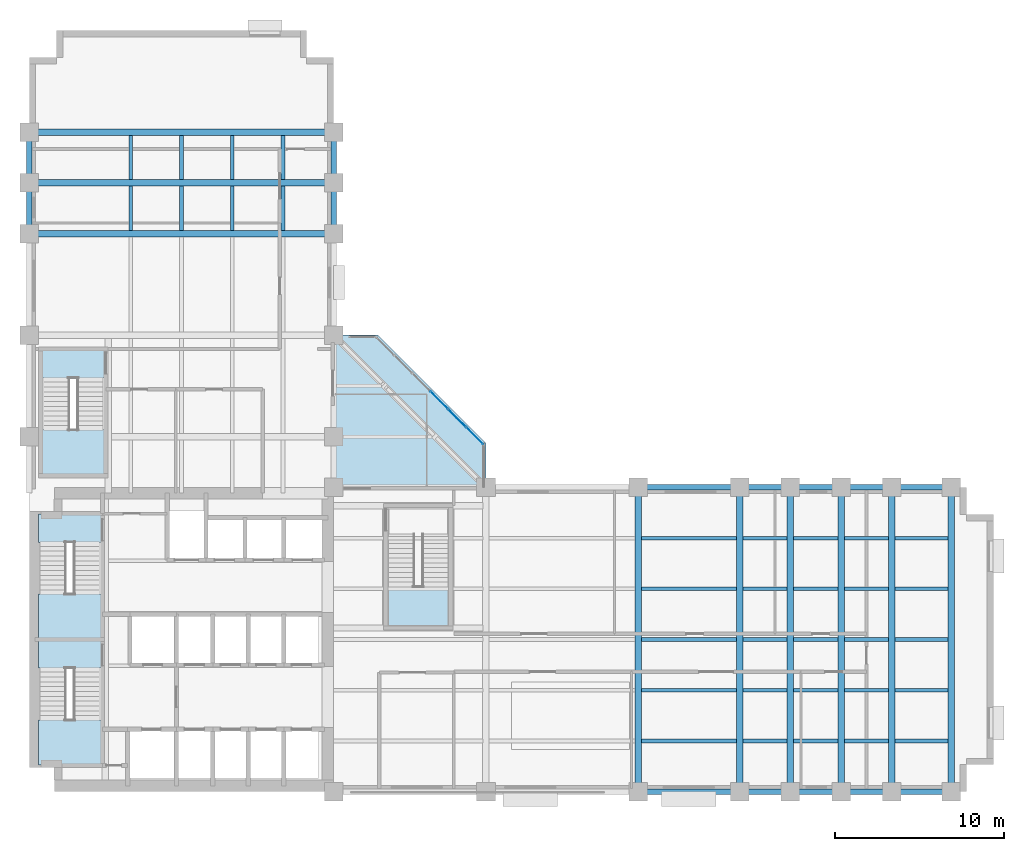
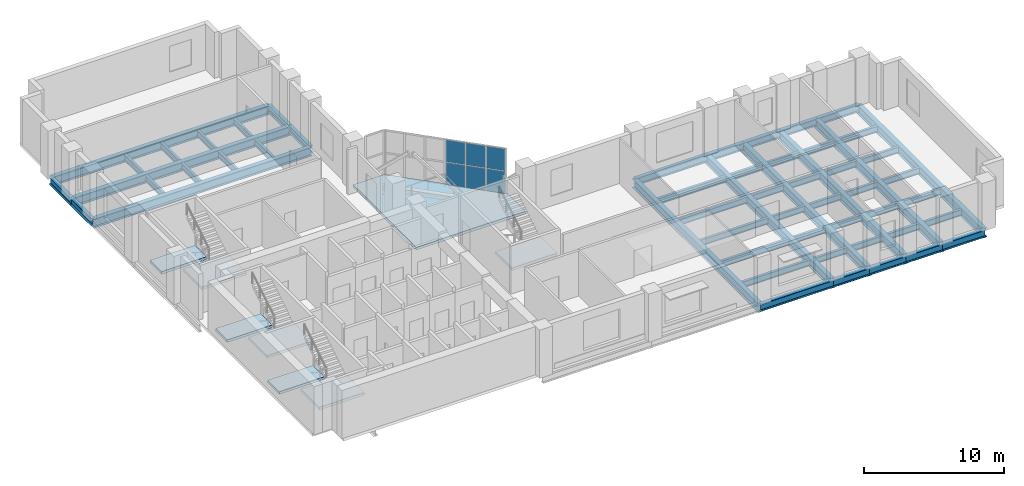
# One storey, part 3 of 10: 56 beams, 8 slabs, 6 plates, 5 elements without a shape of their own.
"""IFC4 building model written with IfcOpenShell, lengths in metres."""

from ifc_helpers import new_model, si_unit, direction, frame, origin, origin_2d, place, context, subcontext, project, spatial, polyline, rectangle, i_section, outline, extrude, material, layer, layer_set, material_profile, profile_set, type_object, element, aggregate, save


model = new_model("IFC4")

# Units and contexts
model_context = context("Model", 3, precision=1e-05, world=origin(), true_north=direction((0.0, 1.0)))
body_context = subcontext(model_context, "Body", "Model", "MODEL_VIEW")
ifc_project = project(units=[si_unit("LENGTHUNIT", "METRE"), si_unit("AREAUNIT", "SQUARE_METRE"), si_unit("VOLUMEUNIT", "CUBIC_METRE"), si_unit("PLANEANGLEUNIT", "RADIAN"), si_unit("MASSUNIT", "GRAM", prefix="KILO")], contexts=[model_context])

# Site, building, storey
site_placement = place(None, origin())
site = spatial("IfcSite", under=ifc_project, at=site_placement, CompositionType="ELEMENT")
building_placement = place(site_placement, origin())
building = spatial("IfcBuilding", under=site, at=building_placement, Name="Mawjdan Bourse Tower", CompositionType="ELEMENT")
storey_placement = place(building_placement, frame((0.0, 0.0, 89.10009765625)))
storey = spatial("IfcBuildingStorey", under=building, at=storey_placement, Name="L20", CompositionType="ELEMENT", Elevation=89.10009765625)

# Beams
ifc_material_1 = material(Name="Structural Steel S355", Category="steel")
ifc_material_profile_1 = material_profile(ifc_material_1, i_section(OverallWidth=0.381103515625, OverallDepth=0.77294921875, WebThickness=0.0166015625, FlangeThickness=0.027099609375, FilletRadius=0.021728515625, at=origin_2d()), Name="W30X173")
ifc_profile_set_1 = profile_set([ifc_material_profile_1], Name="Structural Steel S355")
beam_type_1 = type_object("IfcBeamType", Name="GRD-W30X173", PredefinedType="BEAM", material=ifc_profile_set_1)
for number, where, z_axis, x_axis, name in (
    (1, (42.0, 3.0, -0.63671875), (0.0, 1.0, 0.0), (-1.0, 0.0, 0.0), "L20 East Wing Clear-Span Girder 003"),
    (2, (48.0, 3.0, -0.63671875), (0.0, 1.0, 0.0), (-1.0, 0.0, 0.0), "L20 East Wing Clear-Span Girder 004"),
    (3, (51.0, 3.0, -0.63671875), (0.0, 1.0, 0.0), (-1.0, 0.0, 0.0), "L20 East Wing Clear-Span Girder 005"),
    (4, (54.0, 3.0, -0.63671875), (0.0, 1.0, 0.0), (-1.0, 0.0, 0.0), "L20 East Wing Clear-Span Girder 006"),
    (5, (57.0, 3.0, -0.63671875), (0.0, 1.0, 0.0), (-1.0, 0.0, 0.0), "L20 East Wing Clear-Span Girder 007"),
    (6, (60.5, 3.0, -0.63671875), (0.0, 1.0, 0.0), (-1.0, 0.0, 0.0), "L20 East Wing Clear-Span Girder 008"),
    (7, (6.0, 36.0, -0.63671875), (1.0, 0.0, 0.0), (0.0, 1.0, 0.0), "L20 North Wing Clear-Span Girder 069"),
    (8, (6.0, 39.0, -0.63671875), (1.0, 0.0, 0.0), (0.0, 1.0, 0.0), "L20 North Wing Clear-Span Girder 070"),
    (9, (6.0, 42.0, -0.63671875), (1.0, 0.0, 0.0), (0.0, 1.0, 0.0), "L20 North Wing Clear-Span Girder 071"),
):
    element("IfcBeam", number, at=place(storey_placement, frame(where, z_axis=z_axis, x_axis=x_axis)), inside=storey, type_object=beam_type_1, Name=name, PredefinedType="BEAM", context=body_context, shape_type="SweptSolid", body=[
        extrude(i_section(OverallWidth=0.381103515625, OverallDepth=0.77294921875, WebThickness=0.0166015625, FlangeThickness=0.027099609375, FilletRadius=0.021728515625, at=origin_2d()), origin(), (0.0, 0.0, 1.0), 18.0),
    ])
ifc_material_profile_2 = material_profile(ifc_material_1, i_section(OverallWidth=0.2099609375, OverallDepth=0.537109375, WebThickness=0.010986328125, FlangeThickness=0.017333984375, FilletRadius=0.013916015625, at=origin_2d()), Name="W21X68")
ifc_profile_set_2 = profile_set([ifc_material_profile_2], Name="Structural Steel S355")
beam_type_2 = type_object("IfcBeamType", Name="JST-W21X68", PredefinedType="JOIST", material=ifc_profile_set_2)
beam_1_placement = place(storey_placement, frame((42.1884765625, 6.0, -0.5185546875), z_axis=(1.0, 0.0, 0.0), x_axis=(0.0, 1.0, 0.0)))
element("IfcBeam", 10, at=beam_1_placement, inside=storey, type_object=beam_type_2, Name="L20 East Wing Composite Joist 025", PredefinedType="JOIST", context=body_context, shape_type="SweptSolid", body=[
    extrude(i_section(OverallWidth=0.2099609375, OverallDepth=0.537109375, WebThickness=0.010986328125, FlangeThickness=0.017333984375, FilletRadius=0.013916015625, at=origin_2d()), origin(), (0.0, 0.0, 1.0), 5.623046875),
])
for number, where, z_axis, x_axis, name in (
    (11, (48.1884765625, 6.0, -0.5185546875), (1.0, 0.0, 0.0), (0.0, 1.0, 0.0), "L20 East Wing Composite Joist 026"),
    (12, (51.1884765625, 6.0, -0.5185546875), (1.0, 0.0, 0.0), (0.0, 1.0, 0.0), "L20 East Wing Composite Joist 027"),
    (13, (54.1884765625, 6.0, -0.5185546875), (1.0, 0.0, 0.0), (0.0, 1.0, 0.0), "L20 East Wing Composite Joist 028"),
):
    element("IfcBeam", number, at=place(storey_placement, frame(where, z_axis=z_axis, x_axis=x_axis)), inside=storey, type_object=beam_type_2, Name=name, PredefinedType="JOIST", context=body_context, shape_type="SweptSolid", body=[
        extrude(i_section(OverallWidth=0.2099609375, OverallDepth=0.537109375, WebThickness=0.010986328125, FlangeThickness=0.017333984375, FilletRadius=0.013916015625, at=origin_2d()), origin(), (0.0, 0.0, 1.0), 2.623046875),
    ])
beam_2_placement = place(storey_placement, frame((57.1884765625, 6.0, -0.5185546875), z_axis=(1.0, 0.0, 0.0), x_axis=(0.0, 1.0, 0.0)))
element("IfcBeam", 14, at=beam_2_placement, inside=storey, type_object=beam_type_2, Name="L20 East Wing Composite Joist 029", PredefinedType="JOIST", context=body_context, shape_type="SweptSolid", body=[
    extrude(i_section(OverallWidth=0.2099609375, OverallDepth=0.537109375, WebThickness=0.010986328125, FlangeThickness=0.017333984375, FilletRadius=0.013916015625, at=origin_2d()), origin(), (0.0, 0.0, 1.0), 3.123046875),
])
beam_3_placement = place(storey_placement, frame((42.1884765625, 9.0, -0.5185546875), z_axis=(1.0, 0.0, 0.0), x_axis=(0.0, 1.0, 0.0)))
element("IfcBeam", 15, at=beam_3_placement, inside=storey, type_object=beam_type_2, Name="L20 East Wing Composite Joist 032", PredefinedType="JOIST", context=body_context, shape_type="SweptSolid", body=[
    extrude(i_section(OverallWidth=0.2099609375, OverallDepth=0.537109375, WebThickness=0.010986328125, FlangeThickness=0.017333984375, FilletRadius=0.013916015625, at=origin_2d()), origin(), (0.0, 0.0, 1.0), 5.623046875),
])
for number, where, z_axis, x_axis, name in (
    (16, (48.1884765625, 9.0, -0.5185546875), (1.0, 0.0, 0.0), (0.0, 1.0, 0.0), "L20 East Wing Composite Joist 033"),
    (17, (51.1884765625, 9.0, -0.5185546875), (1.0, 0.0, 0.0), (0.0, 1.0, 0.0), "L20 East Wing Composite Joist 034"),
    (18, (54.1884765625, 9.0, -0.5185546875), (1.0, 0.0, 0.0), (0.0, 1.0, 0.0), "L20 East Wing Composite Joist 035"),
):
    element("IfcBeam", number, at=place(storey_placement, frame(where, z_axis=z_axis, x_axis=x_axis)), inside=storey, type_object=beam_type_2, Name=name, PredefinedType="JOIST", context=body_context, shape_type="SweptSolid", body=[
        extrude(i_section(OverallWidth=0.2099609375, OverallDepth=0.537109375, WebThickness=0.010986328125, FlangeThickness=0.017333984375, FilletRadius=0.013916015625, at=origin_2d()), origin(), (0.0, 0.0, 1.0), 2.623046875),
    ])
beam_4_placement = place(storey_placement, frame((57.1884765625, 9.0, -0.5185546875), z_axis=(1.0, 0.0, 0.0), x_axis=(0.0, 1.0, 0.0)))
element("IfcBeam", 19, at=beam_4_placement, inside=storey, type_object=beam_type_2, Name="L20 East Wing Composite Joist 036", PredefinedType="JOIST", context=body_context, shape_type="SweptSolid", body=[
    extrude(i_section(OverallWidth=0.2099609375, OverallDepth=0.537109375, WebThickness=0.010986328125, FlangeThickness=0.017333984375, FilletRadius=0.013916015625, at=origin_2d()), origin(), (0.0, 0.0, 1.0), 3.123046875),
])
beam_5_placement = place(storey_placement, frame((42.1884765625, 12.0, -0.5185546875), z_axis=(1.0, 0.0, 0.0), x_axis=(0.0, 1.0, 0.0)))
element("IfcBeam", 20, at=beam_5_placement, inside=storey, type_object=beam_type_2, Name="L20 East Wing Composite Joist 039", PredefinedType="JOIST", context=body_context, shape_type="SweptSolid", body=[
    extrude(i_section(OverallWidth=0.2099609375, OverallDepth=0.537109375, WebThickness=0.010986328125, FlangeThickness=0.017333984375, FilletRadius=0.013916015625, at=origin_2d()), origin(), (0.0, 0.0, 1.0), 5.623046875),
])
for number, where, z_axis, x_axis, name in (
    (21, (48.1884765625, 12.0, -0.5185546875), (1.0, 0.0, 0.0), (0.0, 1.0, 0.0), "L20 East Wing Composite Joist 040"),
    (22, (51.1884765625, 12.0, -0.5185546875), (1.0, 0.0, 0.0), (0.0, 1.0, 0.0), "L20 East Wing Composite Joist 041"),
    (23, (54.1884765625, 12.0, -0.5185546875), (1.0, 0.0, 0.0), (0.0, 1.0, 0.0), "L20 East Wing Composite Joist 042"),
):
    element("IfcBeam", number, at=place(storey_placement, frame(where, z_axis=z_axis, x_axis=x_axis)), inside=storey, type_object=beam_type_2, Name=name, PredefinedType="JOIST", context=body_context, shape_type="SweptSolid", body=[
        extrude(i_section(OverallWidth=0.2099609375, OverallDepth=0.537109375, WebThickness=0.010986328125, FlangeThickness=0.017333984375, FilletRadius=0.013916015625, at=origin_2d()), origin(), (0.0, 0.0, 1.0), 2.623046875),
    ])
beam_6_placement = place(storey_placement, frame((57.1884765625, 12.0, -0.5185546875), z_axis=(1.0, 0.0, 0.0), x_axis=(0.0, 1.0, 0.0)))
element("IfcBeam", 24, at=beam_6_placement, inside=storey, type_object=beam_type_2, Name="L20 East Wing Composite Joist 043", PredefinedType="JOIST", context=body_context, shape_type="SweptSolid", body=[
    extrude(i_section(OverallWidth=0.2099609375, OverallDepth=0.537109375, WebThickness=0.010986328125, FlangeThickness=0.017333984375, FilletRadius=0.013916015625, at=origin_2d()), origin(), (0.0, 0.0, 1.0), 3.123046875),
])
beam_7_placement = place(storey_placement, frame((42.1884765625, 15.0, -0.5185546875), z_axis=(1.0, 0.0, 0.0), x_axis=(0.0, 1.0, 0.0)))
element("IfcBeam", 25, at=beam_7_placement, inside=storey, type_object=beam_type_2, Name="L20 East Wing Composite Joist 046", PredefinedType="JOIST", context=body_context, shape_type="SweptSolid", body=[
    extrude(i_section(OverallWidth=0.2099609375, OverallDepth=0.537109375, WebThickness=0.010986328125, FlangeThickness=0.017333984375, FilletRadius=0.013916015625, at=origin_2d()), origin(), (0.0, 0.0, 1.0), 5.623046875),
])
for number, where, z_axis, x_axis, name in (
    (26, (48.1884765625, 15.0, -0.5185546875), (1.0, 0.0, 0.0), (0.0, 1.0, 0.0), "L20 East Wing Composite Joist 047"),
    (27, (51.1884765625, 15.0, -0.5185546875), (1.0, 0.0, 0.0), (0.0, 1.0, 0.0), "L20 East Wing Composite Joist 048"),
    (28, (54.1884765625, 15.0, -0.5185546875), (1.0, 0.0, 0.0), (0.0, 1.0, 0.0), "L20 East Wing Composite Joist 049"),
):
    element("IfcBeam", number, at=place(storey_placement, frame(where, z_axis=z_axis, x_axis=x_axis)), inside=storey, type_object=beam_type_2, Name=name, PredefinedType="JOIST", context=body_context, shape_type="SweptSolid", body=[
        extrude(i_section(OverallWidth=0.2099609375, OverallDepth=0.537109375, WebThickness=0.010986328125, FlangeThickness=0.017333984375, FilletRadius=0.013916015625, at=origin_2d()), origin(), (0.0, 0.0, 1.0), 2.623046875),
    ])
beam_8_placement = place(storey_placement, frame((57.1884765625, 15.0, -0.5185546875), z_axis=(1.0, 0.0, 0.0), x_axis=(0.0, 1.0, 0.0)))
element("IfcBeam", 29, at=beam_8_placement, inside=storey, type_object=beam_type_2, Name="L20 East Wing Composite Joist 050", PredefinedType="JOIST", context=body_context, shape_type="SweptSolid", body=[
    extrude(i_section(OverallWidth=0.2099609375, OverallDepth=0.537109375, WebThickness=0.010986328125, FlangeThickness=0.017333984375, FilletRadius=0.013916015625, at=origin_2d()), origin(), (0.0, 0.0, 1.0), 3.123046875),
])
beam_9_placement = place(storey_placement, frame((42.1884765625, 18.0, -0.5185546875), z_axis=(1.0, 0.0, 0.0), x_axis=(0.0, 1.0, 0.0)))
element("IfcBeam", 30, at=beam_9_placement, inside=storey, type_object=beam_type_2, Name="L20 East Wing Composite Joist 053", PredefinedType="JOIST", context=body_context, shape_type="SweptSolid", body=[
    extrude(i_section(OverallWidth=0.2099609375, OverallDepth=0.537109375, WebThickness=0.010986328125, FlangeThickness=0.017333984375, FilletRadius=0.013916015625, at=origin_2d()), origin(), (0.0, 0.0, 1.0), 5.623046875),
])
for number, where, z_axis, x_axis, name in (
    (31, (48.1884765625, 18.0, -0.5185546875), (1.0, 0.0, 0.0), (0.0, 1.0, 0.0), "L20 East Wing Composite Joist 054"),
    (32, (51.1884765625, 18.0, -0.5185546875), (1.0, 0.0, 0.0), (0.0, 1.0, 0.0), "L20 East Wing Composite Joist 055"),
    (33, (54.1884765625, 18.0, -0.5185546875), (1.0, 0.0, 0.0), (0.0, 1.0, 0.0), "L20 East Wing Composite Joist 056"),
):
    element("IfcBeam", number, at=place(storey_placement, frame(where, z_axis=z_axis, x_axis=x_axis)), inside=storey, type_object=beam_type_2, Name=name, PredefinedType="JOIST", context=body_context, shape_type="SweptSolid", body=[
        extrude(i_section(OverallWidth=0.2099609375, OverallDepth=0.537109375, WebThickness=0.010986328125, FlangeThickness=0.017333984375, FilletRadius=0.013916015625, at=origin_2d()), origin(), (0.0, 0.0, 1.0), 2.623046875),
    ])
beam_10_placement = place(storey_placement, frame((57.1884765625, 18.0, -0.5185546875), z_axis=(1.0, 0.0, 0.0), x_axis=(0.0, 1.0, 0.0)))
element("IfcBeam", 34, at=beam_10_placement, inside=storey, type_object=beam_type_2, Name="L20 East Wing Composite Joist 057", PredefinedType="JOIST", context=body_context, shape_type="SweptSolid", body=[
    extrude(i_section(OverallWidth=0.2099609375, OverallDepth=0.537109375, WebThickness=0.010986328125, FlangeThickness=0.017333984375, FilletRadius=0.013916015625, at=origin_2d()), origin(), (0.0, 0.0, 1.0), 3.123046875),
])
for number, where, z_axis, x_axis, name in (
    (35, (12.0, 36.1884765625, -0.5185546875), (0.0, 1.0, 0.0), (-1.0, 0.0, 0.0), "L20 North Wing Composite Joist 085"),
    (36, (12.0, 39.1884765625, -0.5185546875), (0.0, 1.0, 0.0), (-1.0, 0.0, 0.0), "L20 North Wing Composite Joist 086"),
    (37, (15.0, 36.1884765625, -0.5185546875), (0.0, 1.0, 0.0), (-1.0, 0.0, 0.0), "L20 North Wing Composite Joist 090"),
    (38, (15.0, 39.1884765625, -0.5185546875), (0.0, 1.0, 0.0), (-1.0, 0.0, 0.0), "L20 North Wing Composite Joist 091"),
    (39, (18.0, 36.1884765625, -0.5185546875), (0.0, 1.0, 0.0), (-1.0, 0.0, 0.0), "L20 North Wing Composite Joist 095"),
    (40, (18.0, 39.1884765625, -0.5185546875), (0.0, 1.0, 0.0), (-1.0, 0.0, 0.0), "L20 North Wing Composite Joist 096"),
    (41, (21.0, 36.1884765625, -0.5185546875), (0.0, 1.0, 0.0), (-1.0, 0.0, 0.0), "L20 North Wing Composite Joist 100"),
    (42, (21.0, 39.1884765625, -0.5185546875), (0.0, 1.0, 0.0), (-1.0, 0.0, 0.0), "L20 North Wing Composite Joist 101"),
):
    element("IfcBeam", number, at=place(storey_placement, frame(where, z_axis=z_axis, x_axis=x_axis)), inside=storey, type_object=beam_type_2, Name=name, PredefinedType="JOIST", context=body_context, shape_type="SweptSolid", body=[
        extrude(i_section(OverallWidth=0.2099609375, OverallDepth=0.537109375, WebThickness=0.010986328125, FlangeThickness=0.017333984375, FilletRadius=0.013916015625, at=origin_2d()), origin(), (0.0, 0.0, 1.0), 2.623046875),
    ])
ifc_material_profile_3 = material_profile(ifc_material_1, i_section(OverallWidth=0.324951171875, OverallDepth=0.616943359375, WebThickness=0.013916015625, FlangeThickness=0.021484375, FilletRadius=0.017333984375, at=origin_2d()), Name="W24X117")
ifc_profile_set_3 = profile_set([ifc_material_profile_3], Name="Structural Steel S355")
beam_type_3 = type_object("IfcBeamType", Name="SPN-W24X117", PredefinedType="SPANDREL", material=ifc_profile_set_3)
beam_11_placement = place(storey_placement, frame((42.0, 3.0, -0.55859375), z_axis=(1.0, 0.0, 0.0), x_axis=(0.0, 1.0, 0.0)))
element("IfcBeam", 43, at=beam_11_placement, inside=storey, type_object=beam_type_3, Name="L20 Perimeter Masonry-Shelf Spandrel 011", PredefinedType="SPANDREL", context=body_context, shape_type="SweptSolid", body=[
    extrude(i_section(OverallWidth=0.324951171875, OverallDepth=0.616943359375, WebThickness=0.013916015625, FlangeThickness=0.021484375, FilletRadius=0.017333984375, at=origin_2d()), origin(), (0.0, 0.0, 1.0), 6.0),
])
for number, where, z_axis, x_axis, name in (
    (44, (48.0, 3.0, -0.55859375), (1.0, 0.0, 0.0), (0.0, 1.0, 0.0), "L20 Perimeter Masonry-Shelf Spandrel 012"),
    (45, (51.0, 3.0, -0.55859375), (1.0, 0.0, 0.0), (0.0, 1.0, 0.0), "L20 Perimeter Masonry-Shelf Spandrel 013"),
    (46, (54.0, 3.0, -0.55859375), (1.0, 0.0, 0.0), (0.0, 1.0, 0.0), "L20 Perimeter Masonry-Shelf Spandrel 014"),
):
    element("IfcBeam", number, at=place(storey_placement, frame(where, z_axis=z_axis, x_axis=x_axis)), inside=storey, type_object=beam_type_3, Name=name, PredefinedType="SPANDREL", context=body_context, shape_type="SweptSolid", body=[
        extrude(i_section(OverallWidth=0.324951171875, OverallDepth=0.616943359375, WebThickness=0.013916015625, FlangeThickness=0.021484375, FilletRadius=0.017333984375, at=origin_2d()), origin(), (0.0, 0.0, 1.0), 3.0),
    ])
beam_12_placement = place(storey_placement, frame((57.0, 3.0, -0.55859375), z_axis=(1.0, 0.0, 0.0), x_axis=(0.0, 1.0, 0.0)))
element("IfcBeam", 47, at=beam_12_placement, inside=storey, type_object=beam_type_3, Name="L20 Perimeter Masonry-Shelf Spandrel 015", PredefinedType="SPANDREL", context=body_context, shape_type="SweptSolid", body=[
    extrude(i_section(OverallWidth=0.324951171875, OverallDepth=0.616943359375, WebThickness=0.013916015625, FlangeThickness=0.021484375, FilletRadius=0.017333984375, at=origin_2d()), origin(), (0.0, 0.0, 1.0), 3.5),
])
beam_13_placement = place(storey_placement, frame((42.0, 21.0, -0.55859375), z_axis=(1.0, 0.0, 0.0), x_axis=(0.0, 1.0, 0.0)))
element("IfcBeam", 48, at=beam_13_placement, inside=storey, type_object=beam_type_3, Name="L20 Perimeter Masonry-Shelf Spandrel 018", PredefinedType="SPANDREL", context=body_context, shape_type="SweptSolid", body=[
    extrude(i_section(OverallWidth=0.324951171875, OverallDepth=0.616943359375, WebThickness=0.013916015625, FlangeThickness=0.021484375, FilletRadius=0.017333984375, at=origin_2d()), origin(), (0.0, 0.0, 1.0), 6.0),
])
for number, where, z_axis, x_axis, name in (
    (49, (48.0, 21.0, -0.55859375), (1.0, 0.0, 0.0), (0.0, 1.0, 0.0), "L20 Perimeter Masonry-Shelf Spandrel 019"),
    (50, (51.0, 21.0, -0.55859375), (1.0, 0.0, 0.0), (0.0, 1.0, 0.0), "L20 Perimeter Masonry-Shelf Spandrel 020"),
    (51, (54.0, 21.0, -0.55859375), (1.0, 0.0, 0.0), (0.0, 1.0, 0.0), "L20 Perimeter Masonry-Shelf Spandrel 021"),
):
    element("IfcBeam", number, at=place(storey_placement, frame(where, z_axis=z_axis, x_axis=x_axis)), inside=storey, type_object=beam_type_3, Name=name, PredefinedType="SPANDREL", context=body_context, shape_type="SweptSolid", body=[
        extrude(i_section(OverallWidth=0.324951171875, OverallDepth=0.616943359375, WebThickness=0.013916015625, FlangeThickness=0.021484375, FilletRadius=0.017333984375, at=origin_2d()), origin(), (0.0, 0.0, 1.0), 3.0),
    ])
beam_14_placement = place(storey_placement, frame((57.0, 21.0, -0.55859375), z_axis=(1.0, 0.0, 0.0), x_axis=(0.0, 1.0, 0.0)))
element("IfcBeam", 52, at=beam_14_placement, inside=storey, type_object=beam_type_3, Name="L20 Perimeter Masonry-Shelf Spandrel 022", PredefinedType="SPANDREL", context=body_context, shape_type="SweptSolid", body=[
    extrude(i_section(OverallWidth=0.324951171875, OverallDepth=0.616943359375, WebThickness=0.013916015625, FlangeThickness=0.021484375, FilletRadius=0.017333984375, at=origin_2d()), origin(), (0.0, 0.0, 1.0), 3.5),
])
for number, where, z_axis, x_axis, name in (
    (53, (6.0, 36.0, -0.55859375), (0.0, 1.0, 0.0), (-1.0, 0.0, 0.0), "L20 North Wing Spandrel 075"),
    (54, (6.0, 39.0, -0.55859375), (0.0, 1.0, 0.0), (-1.0, 0.0, 0.0), "L20 North Wing Spandrel 076"),
    (55, (24.0, 36.0, -0.55859375), (0.0, 1.0, 0.0), (-1.0, 0.0, 0.0), "L20 North Wing Spandrel 080"),
    (56, (24.0, 39.0, -0.55859375), (0.0, 1.0, 0.0), (-1.0, 0.0, 0.0), "L20 North Wing Spandrel 081"),
):
    element("IfcBeam", number, at=place(storey_placement, frame(where, z_axis=z_axis, x_axis=x_axis)), inside=storey, type_object=beam_type_3, Name=name, PredefinedType="SPANDREL", context=body_context, shape_type="SweptSolid", body=[
        extrude(i_section(OverallWidth=0.324951171875, OverallDepth=0.616943359375, WebThickness=0.013916015625, FlangeThickness=0.021484375, FilletRadius=0.017333984375, at=origin_2d()), origin(), (0.0, 0.0, 1.0), 3.0),
    ])

# Curtain wall, plates
ifc_material_2 = material(Name="Thermally Broken Aluminium and Solar Glass", Category="aluminium")
ifc_layer_1 = layer(ifc_material_2, 0.219970703125)
ifc_layer_set_1 = layer_set([ifc_layer_1], Name="Thermally Broken Aluminium and Solar Glass")
curtain_wall_type = type_object("IfcCurtainWallType", Name="CW-BRG", PredefinedType="USERDEFINED", material=ifc_layer_set_1)
curtain_wall_placement = place(storey_placement, origin())
curtain_wall = element("IfcCurtainWall", 57, at=curtain_wall_placement, inside=storey, type_object=curtain_wall_type, Name="L20 Atrium Sky Bridge Diagonal Curtain Wall", ObjectType="SKY BRIDGE CURTAIN WALL", PredefinedType="USERDEFINED")
ifc_material_3 = material(Name="Acoustic Laminated Sky-Bridge Glass", Category="glass")
ifc_layer_2 = layer(ifc_material_3, 0.033935546875)
ifc_layer_set_2 = layer_set([ifc_layer_2], Name="Acoustic Laminated Sky-Bridge Glass")
plate_type = type_object("IfcPlateType", Name="PNL-CW-BRG", PredefinedType="CURTAIN_PANEL", material=ifc_layer_set_2)
plate_1_placement = place(storey_placement, frame((32.3369140625, 24.043212890625, 0.054931640625), z_axis=(0.0, 0.0, 1.0), x_axis=(-0.707106781187, 0.707106781187, 0.0)))
plate_1 = element("IfcPlate", 58, at=plate_1_placement, type_object=plate_type, Name="CW-BRG-L20-BRG-DIAG panel 1.1", PredefinedType="CURTAIN_PANEL", context=body_context, shape_type="SweptSolid", body=[
    extrude(rectangle(XDim=1.40625, YDim=0.033935546875, at=origin_2d()), origin(), (0.0, 0.0, 1.0), 1.91748046875),
])
plate_2_placement = place(storey_placement, frame((32.3369140625, 24.043212890625, 2.02734375), z_axis=(0.0, 0.0, 1.0), x_axis=(-0.707106781187, 0.707106781187, 0.0)))
plate_2 = element("IfcPlate", 59, at=plate_2_placement, type_object=plate_type, Name="CW-BRG-L20-BRG-DIAG panel 1.2", PredefinedType="CURTAIN_PANEL", context=body_context, shape_type="SweptSolid", body=[
    extrude(rectangle(XDim=1.40625, YDim=0.033935546875, at=origin_2d()), origin(), (0.0, 0.0, 1.0), 1.91748046875),
])
plate_3_placement = place(storey_placement, frame((31.284912109375, 25.094970703125, 0.054931640625), z_axis=(0.0, 0.0, 1.0), x_axis=(-0.707106781187, 0.707106781187, 0.0)))
plate_3 = element("IfcPlate", 60, at=plate_3_placement, type_object=plate_type, Name="CW-BRG-L20-BRG-DIAG panel 2.1", PredefinedType="CURTAIN_PANEL", context=body_context, shape_type="SweptSolid", body=[
    extrude(rectangle(XDim=1.438720703125, YDim=0.033935546875, at=origin_2d()), origin(), (0.0, 0.0, 1.0), 1.91748046875),
])
plate_4_placement = place(storey_placement, frame((31.284912109375, 25.094970703125, 2.02734375), z_axis=(0.0, 0.0, 1.0), x_axis=(-0.707106781187, 0.707106781187, 0.0)))
plate_4 = element("IfcPlate", 61, at=plate_4_placement, type_object=plate_type, Name="CW-BRG-L20-BRG-DIAG panel 2.2", PredefinedType="CURTAIN_PANEL", context=body_context, shape_type="SweptSolid", body=[
    extrude(rectangle(XDim=1.438720703125, YDim=0.033935546875, at=origin_2d()), origin(), (0.0, 0.0, 1.0), 1.91748046875),
])
plate_5_placement = place(storey_placement, frame((30.2216796875, 26.158447265625, 0.054931640625), z_axis=(0.0, 0.0, 1.0), x_axis=(-0.707106781187, 0.707106781187, 0.0)))
plate_5 = element("IfcPlate", 62, at=plate_5_placement, type_object=plate_type, Name="CW-BRG-L20-BRG-DIAG panel 3.1", PredefinedType="CURTAIN_PANEL", context=body_context, shape_type="SweptSolid", body=[
    extrude(rectangle(XDim=1.438720703125, YDim=0.033935546875, at=origin_2d()), origin(), (0.0, 0.0, 1.0), 1.91748046875),
])
plate_6_placement = place(storey_placement, frame((30.2216796875, 26.158447265625, 2.02734375), z_axis=(0.0, 0.0, 1.0), x_axis=(-0.707106781187, 0.707106781187, 0.0)))
plate_6 = element("IfcPlate", 63, at=plate_6_placement, type_object=plate_type, Name="CW-BRG-L20-BRG-DIAG panel 3.2", PredefinedType="CURTAIN_PANEL", context=body_context, shape_type="SweptSolid", body=[
    extrude(rectangle(XDim=1.438720703125, YDim=0.033935546875, at=origin_2d()), origin(), (0.0, 0.0, 1.0), 1.91748046875),
])
aggregate(curtain_wall, [plate_1, plate_2, plate_3, plate_4, plate_5, plate_6])

# Stair, slabs
ifc_material_4 = material(Name="Concrete C50/60", Category="concrete")
stair_type_1 = type_object("IfcStairType", Name="STR-CORE-1500", PredefinedType="HALF_TURN_STAIR", material=ifc_material_4)
stair_1_placement = place(storey_placement, origin())
stair_1 = element("IfcStair", 64, at=stair_1_placement, inside=storey, type_object=stair_type_1, Name="L20 Exit Stair 1 (Core South-West)", PredefinedType="HALF_TURN_STAIR")
ifc_layer_3 = layer(ifc_material_4, 0.22998046875)
ifc_layer_set_3 = layer_set([ifc_layer_3], Name="Concrete C50/60")
slab_type_1 = type_object("IfcSlabType", Name="SL-LND-230", PredefinedType="LANDING", material=ifc_layer_set_3)
slab_1_placement = place(storey_placement, frame((0.0, 0.0, -0.22998046875)))
slab_1 = element("IfcSlab", 65, at=slab_1_placement, type_object=slab_type_1, Name="ST1-L20 landing 1", PredefinedType="LANDING", context=body_context, shape_type="SweptSolid", body=[
    extrude(outline(polyline([(6.5400390625, 10.31005859375), (10.260009765625, 10.31005859375), (10.260009765625, 11.969970703125), (6.5400390625, 11.969970703125), (6.5400390625, 10.31005859375)])), origin(), (0.0, 0.0, 1.0), 0.22998046875),
])
slab_2_placement = place(storey_placement, frame((0.0, 0.0, 1.869873046875)))
slab_2 = element("IfcSlab", 66, at=slab_2_placement, type_object=slab_type_1, Name="ST1-L20 landing 2", PredefinedType="LANDING", context=body_context, shape_type="SweptSolid", body=[
    extrude(outline(polyline([(6.5400390625, 4.590087890625), (10.260009765625, 4.590087890625), (10.260009765625, 7.2548828125), (6.5400390625, 7.2548828125), (6.5400390625, 4.590087890625)])), origin(), (0.0, 0.0, 1.0), 0.22998046875),
])
aggregate(stair_1, [slab_1, slab_2])

stair_2_placement = place(storey_placement, origin())
stair_2 = element("IfcStair", 67, at=stair_2_placement, inside=storey, type_object=stair_type_1, Name="L20 Exit Stair 2 (Core North-West)", PredefinedType="HALF_TURN_STAIR")
slab_3_placement = place(storey_placement, frame((0.0, 0.0, -0.22998046875)))
slab_3 = element("IfcSlab", 68, at=slab_3_placement, type_object=slab_type_1, Name="ST2-L20 landing 1", PredefinedType="LANDING", context=body_context, shape_type="SweptSolid", body=[
    extrude(outline(polyline([(6.5400390625, 17.75), (10.260009765625, 17.75), (10.260009765625, 19.409912109375), (6.5400390625, 19.409912109375), (6.5400390625, 17.75)])), origin(), (0.0, 0.0, 1.0), 0.22998046875),
])
slab_4_placement = place(storey_placement, frame((0.0, 0.0, 1.869873046875)))
slab_4 = element("IfcSlab", 69, at=slab_4_placement, type_object=slab_type_1, Name="ST2-L20 landing 2", PredefinedType="LANDING", context=body_context, shape_type="SweptSolid", body=[
    extrude(outline(polyline([(6.5400390625, 12.030029296875), (10.260009765625, 12.030029296875), (10.260009765625, 14.695068359375), (6.5400390625, 14.695068359375), (6.5400390625, 12.030029296875)])), origin(), (0.0, 0.0, 1.0), 0.22998046875),
])
aggregate(stair_2, [slab_3, slab_4])

stair_3_placement = place(storey_placement, origin())
stair_3 = element("IfcStair", 70, at=stair_3_placement, inside=storey, type_object=stair_type_1, Name="L20 Exit Stair 3 (North Wing)", PredefinedType="HALF_TURN_STAIR")
slab_5_placement = place(storey_placement, frame((0.0, 0.0, -0.22998046875)))
slab_5 = element("IfcSlab", 71, at=slab_5_placement, type_object=slab_type_1, Name="ST3-L20 landing 1", PredefinedType="LANDING", context=body_context, shape_type="SweptSolid", body=[
    extrude(outline(polyline([(6.739990234375, 27.4599609375), (10.4599609375, 27.4599609375), (10.4599609375, 29.1201171875), (6.739990234375, 29.1201171875), (6.739990234375, 27.4599609375)])), origin(), (0.0, 0.0, 1.0), 0.22998046875),
])
slab_6_placement = place(storey_placement, frame((0.0, 0.0, 1.869873046875)))
slab_6 = element("IfcSlab", 72, at=slab_6_placement, type_object=slab_type_1, Name="ST3-L20 landing 2", PredefinedType="LANDING", context=body_context, shape_type="SweptSolid", body=[
    extrude(outline(polyline([(6.739990234375, 21.739990234375), (10.4599609375, 21.739990234375), (10.4599609375, 24.405029296875), (6.739990234375, 24.405029296875), (6.739990234375, 21.739990234375)])), origin(), (0.0, 0.0, 1.0), 0.22998046875),
])
aggregate(stair_3, [slab_5, slab_6])

# Stair, slab
stair_type_2 = type_object("IfcStairType", Name="STR-SKY-1500", PredefinedType="HALF_TURN_STAIR", material=ifc_material_1)
stair_4_placement = place(storey_placement, origin())
stair_4 = element("IfcStair", 73, at=stair_4_placement, inside=storey, type_object=stair_type_2, Name="L20 Sky Lobby 1 Feature Stair", PredefinedType="HALF_TURN_STAIR")
slab_7_placement = place(storey_placement, frame((0.0, 0.0, 1.869873046875)))
slab_7 = element("IfcSlab", 74, at=slab_7_placement, type_object=slab_type_1, Name="ST5A-L20 landing 1", PredefinedType="LANDING", context=body_context, shape_type="SweptSolid", body=[
    extrude(outline(polyline([(27.139892578125, 12.739990234375), (30.860107421875, 12.739990234375), (30.860107421875, 15.14501953125), (27.139892578125, 15.14501953125), (27.139892578125, 12.739990234375)])), origin(), (0.0, 0.0, 1.0), 0.22998046875),
])
aggregate(stair_4, [slab_7])

# Slab
ifc_layer_4 = layer(ifc_material_4, 0.25)
ifc_layer_set_4 = layer_set([ifc_layer_4], Name="Concrete C50/60")
slab_type_2 = type_object("IfcSlabType", Name="SL-SKY-250", PredefinedType="FLOOR", material=ifc_layer_set_4)
slab_8_placement = place(storey_placement, frame((0.0, 0.0, -0.25)))
element("IfcSlab", 75, at=slab_8_placement, inside=storey, type_object=slab_type_2, Name="L20 Atrium Sky Bridge Slab", PredefinedType="FLOOR", context=body_context, shape_type="SweptSolid", body=[
    extrude(outline(polyline([(24.0, 21.0), (33.0, 21.0), (33.0, 23.60009765625), (26.60009765625, 30.0), (24.0, 30.0), (24.0, 21.0)])), origin(), (0.0, 0.0, 1.0), 0.25),
])

save(model, "model.ifc")
